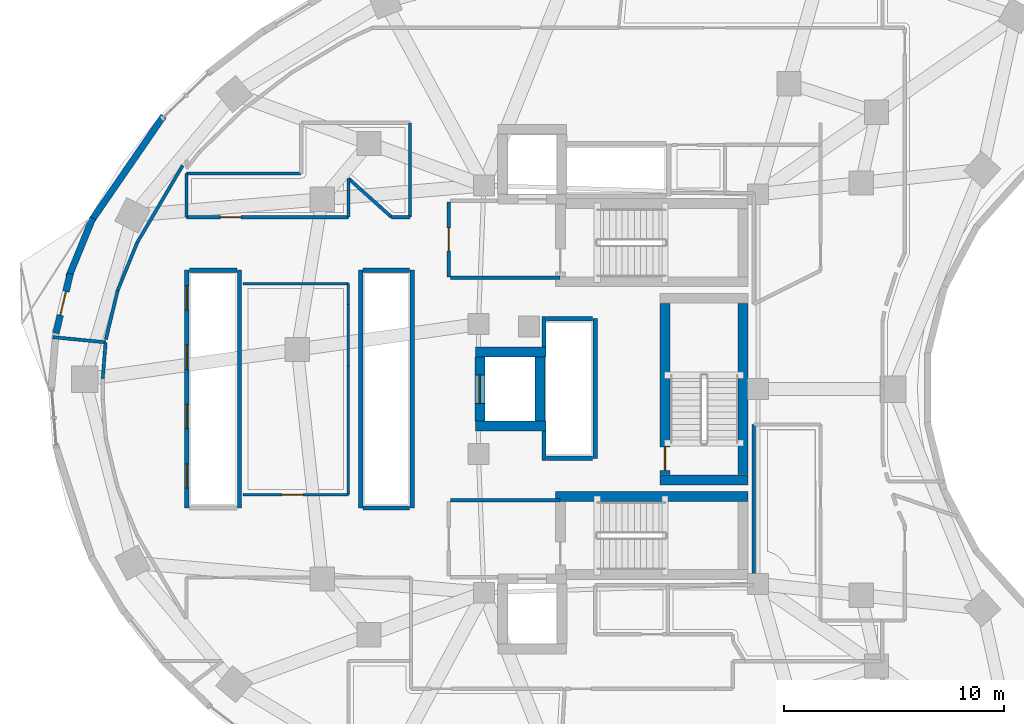
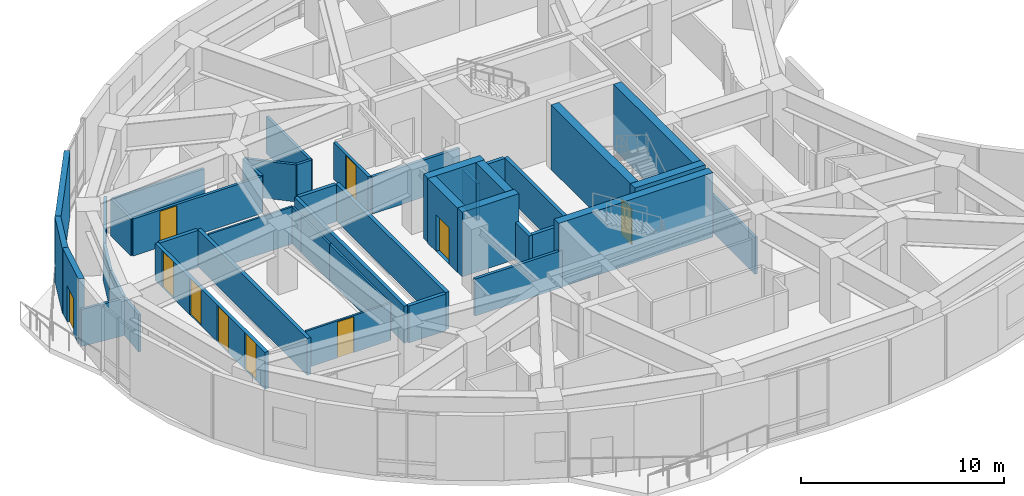
# One storey, part 7 of 13: 44 walls, 10 doors, 10 openings.
"""IFC4 building model written with IfcOpenShell, lengths in metres."""

import ifcopenshell
import ifcopenshell.guid

model = None  # the IFC model being written
_history = None  # IfcOwnerHistory: only IFC2X3 demands one
_inside = {}  # id of a spatial element -> (the spatial element, [elements in it])
_under = {}  # id of a project, library or spatial element -> (it, [spatial elements below it])
_declared = {}  # id of a project -> (the project, [libraries it declares])
_typed = {}  # id of a type object -> (the type object, [elements of that type])
_made_of = {}  # id of a material, layer set ... -> (it, [elements and type objects made of it])


def new_model(schema):
    """Start an empty IFC model of exactly this schema.

    Asked for "IFC4X3", IfcOpenShell would pick the latest addendum, in which some entities
    have other attributes; the version numbers below select the first issue.
    IFC2X3 requires an IfcOwnerHistory on every rooted entity: one is made here for all.
    """
    global model, _history
    if schema == "IFC4X3":
        model = ifcopenshell.file(schema_version=(4, 3, 0, 0))
    else:
        model = ifcopenshell.file(schema=schema)
    _inside.clear()
    _under.clear()
    _declared.clear()
    _typed.clear()
    _made_of.clear()
    _history = None
    if model.schema == "IFC2X3":
        org = make("IfcOrganization", Name="unknown")
        user = make(
            "IfcPersonAndOrganization",
            ThePerson=make("IfcPerson", FamilyName="unknown"),
            TheOrganization=org,
        )
        app = make(
            "IfcApplication",
            ApplicationDeveloper=org,
            Version="unknown",
            ApplicationFullName="unknown",
            ApplicationIdentifier="unknown",
        )
        _history = make(
            "IfcOwnerHistory",
            OwningUser=user,
            OwningApplication=app,
            ChangeAction="ADDED",
            CreationDate=0,
        )
    return model


def make(cls, **values):
    """One entity of the class cls with the attributes given. An attribute that is None is left unset."""
    return model.create_entity(
        cls, **{name: value for name, value in values.items() if value is not None}
    )


def rooted(cls, **values):
    """An entity with a GlobalId (a new one), such as an element, a storey or a relation."""
    return make(cls, GlobalId=ifcopenshell.guid.new(), OwnerHistory=_history, **values)


def si_unit(unit_type, name, prefix=None):
    """IfcSIUnit, for example si_unit("LENGTHUNIT", "METRE", prefix="MILLI")."""
    return make("IfcSIUnit", UnitType=unit_type, Prefix=prefix, Name=name)


def assignment(units):
    """IfcUnitAssignment: the units of a project."""
    return None if units is None else make("IfcUnitAssignment", Units=units)


def point(xyz):
    """IfcCartesianPoint."""
    return None if xyz is None else make("IfcCartesianPoint", Coordinates=xyz)


def direction(xyz):
    """IfcDirection."""
    return None if xyz is None else make("IfcDirection", DirectionRatios=xyz)


def frame(location, z_axis=None, x_axis=None):
    """IfcAxis2Placement3D, a coordinate frame: its origin and axes. An axis left out is left unset."""
    return make(
        "IfcAxis2Placement3D",
        Location=point(location),
        Axis=direction(z_axis),
        RefDirection=direction(x_axis),
    )


def frame_2d(location, x_axis=None):
    """IfcAxis2Placement2D, a coordinate frame in the plane: its origin and x axis."""
    return make(
        "IfcAxis2Placement2D", Location=point(location), RefDirection=direction(x_axis)
    )


def origin():
    """The frame at (0, 0, 0) with its axes left unset."""
    return frame((0.0, 0.0, 0.0))


def place(relative_to, where):
    """IfcLocalPlacement: puts the frame where relative to a parent placement (None: the world)."""
    return make(
        "IfcLocalPlacement", PlacementRelTo=relative_to, RelativePlacement=where
    )


def context(
    kind, dimensions, precision=None, world=None, true_north=None, identifier=None
):
    """IfcGeometricRepresentationContext, for example the 3D "Model" context."""
    return make(
        "IfcGeometricRepresentationContext",
        ContextIdentifier=identifier,
        ContextType=kind,
        CoordinateSpaceDimension=dimensions,
        Precision=precision,
        WorldCoordinateSystem=world,
        TrueNorth=true_north,
    )


def subcontext(parent, identifier, kind, view, scale=None):
    """IfcGeometricRepresentationSubContext, for example "Body" below "Model"."""
    return make(
        "IfcGeometricRepresentationSubContext",
        ContextIdentifier=identifier,
        ContextType=kind,
        ParentContext=parent,
        TargetScale=scale,
        TargetView=view,
    )


def project(units=None, contexts=None):
    """IfcProject with its units and contexts."""
    return rooted(
        "IfcProject",
        Name="project",
        RepresentationContexts=contexts,
        UnitsInContext=assignment(units),
    )


def spatial(cls, under=None, at=None, **own):
    """A site, building, storey or space (cls), placed at a placement, below another one or the project."""
    s = rooted(cls, ObjectPlacement=at, **own)
    if under is not None:
        _under.setdefault(under.id(), (under, []))[1].append(s)
    return s


def profile(cls, at=None, kind="AREA", **sizes):
    """A parametric profile (cls). Its sizes go by their IFC names, for example OverallWidth=200.0."""
    return make(cls, ProfileType=kind, Position=at, **sizes)


def rectangle(**sizes):
    """IfcRectangleProfileDef."""
    return profile("IfcRectangleProfileDef", **sizes)


def extrude(swept, where, along, depth):
    """IfcExtrudedAreaSolid: the profile swept, set in the frame where, extruded along a direction by depth."""
    return make(
        "IfcExtrudedAreaSolid",
        SweptArea=swept,
        Position=where,
        ExtrudedDirection=direction(along),
        Depth=depth,
    )


def shape(context_of_items, identifier, shape_type, items):
    """IfcShapeRepresentation: the items that make up one representation, for example the "Body"."""
    return make(
        "IfcShapeRepresentation",
        ContextOfItems=context_of_items,
        RepresentationIdentifier=identifier,
        RepresentationType=shape_type,
        Items=items,
    )


def material(Name=None, Category=None):
    """IfcMaterial."""
    return make("IfcMaterial", Name=Name, Category=Category)


def layer(
    of_material, thickness, ventilated=None, Name=None, Category=None, Priority=None
):
    """IfcMaterialLayer: one layer of a wall or slab, of a material (None: an air gap)."""
    return make(
        "IfcMaterialLayer",
        Material=of_material,
        LayerThickness=thickness,
        IsVentilated=ventilated,
        Name=Name,
        Category=Category,
        Priority=Priority,
    )


def layer_set(layers, Name=None):
    """IfcMaterialLayerSet."""
    return make("IfcMaterialLayerSet", MaterialLayers=layers, LayerSetName=Name)


def made_of(thing, what):
    """Note that an element or type object is made of a material, layer set ...; save() writes the relation."""
    if what is not None:
        _made_of.setdefault(what.id(), (what, []))[1].append(thing)
    return thing


def type_object(cls, material=None, **own):
    """A type object (cls), such as IfcWallType, which elements share."""
    return made_of(rooted(cls, **own), material)


def element(
    cls,
    number,
    at=None,
    inside=None,
    cuts=None,
    type_object=None,
    material=None,
    context=None,
    identifier="Body",
    shape_type=None,
    held_by="IfcProductDefinitionShape",
    body=None,
    shapes=None,
    **own,
):
    """One element of the class cls, such as IfcWall. Its Tag is "e" and its number.

    at: its placement. inside: the storey or other place that contains it. cuts: it is an
    opening in that element (IfcRelVoidsElement). A single representation is given by context,
    identifier, shape_type and body (its items); several are given by shapes. held_by: the class
    of the entity that holds the representations. save() writes the other relations.
    """
    e = rooted(cls, Tag="e%d" % number, ObjectPlacement=at, **own)
    if body is not None:
        shapes = [shape(context, identifier, shape_type, body)]
    if shapes is not None:
        e.Representation = make(held_by, Representations=shapes)
    if inside is not None:
        _inside.setdefault(inside.id(), (inside, []))[1].append(e)
    if cuts is not None:
        rooted(
            "IfcRelVoidsElement", RelatingBuildingElement=cuts, RelatedOpeningElement=e
        )
    if type_object is not None:
        _typed.setdefault(type_object.id(), (type_object, []))[1].append(e)
    return made_of(e, material)


def fill(opening, filler):
    """IfcRelFillsElement: the door or window that sits in an opening."""
    return rooted(
        "IfcRelFillsElement",
        RelatingOpeningElement=opening,
        RelatedBuildingElement=filler,
    )


def aggregate(whole, parts):
    """IfcRelAggregates: a whole, such as a stair, and the parts it consists of."""
    return rooted("IfcRelAggregates", RelatingObject=whole, RelatedObjects=parts)


def save(model, path):
    """Write the relations noted so far, then the file.

    IfcRelAggregates (storeys below a building ...), IfcRelContainedInSpatialStructure (elements
    in a storey), IfcRelDefinesByType, IfcRelAssociatesMaterial and IfcRelDeclares: one each for
    every whole, place, type object, material and project.
    """
    for whole, parts in _under.values():
        aggregate(whole, parts)
    for where, things in _inside.values():
        rooted(
            "IfcRelContainedInSpatialStructure",
            RelatedElements=things,
            RelatingStructure=where,
        )
    for kind, things in _typed.values():
        rooted("IfcRelDefinesByType", RelatedObjects=things, RelatingType=kind)
    for what, things in _made_of.values():
        rooted("IfcRelAssociatesMaterial", RelatedObjects=things, RelatingMaterial=what)
    for by, libraries in _declared.values():
        rooted("IfcRelDeclares", RelatingContext=by, RelatedDefinitions=libraries)
    model.write(path)


model = new_model("IFC4")

# Units and contexts
model_context = context("Model", 3, precision=1e-05, world=origin(), true_north=direction((0.0, 1.0)))
body_context = subcontext(model_context, "Body", "Model", "MODEL_VIEW")
ifc_project = project(units=[si_unit("LENGTHUNIT", "METRE"), si_unit("AREAUNIT", "SQUARE_METRE"), si_unit("VOLUMEUNIT", "CUBIC_METRE"), si_unit("PLANEANGLEUNIT", "RADIAN"), si_unit("MASSUNIT", "GRAM", prefix="KILO")], contexts=[model_context])

# Site, building, storey
site_placement = place(None, origin())
site = spatial("IfcSite", under=ifc_project, at=site_placement, CompositionType="ELEMENT")
building_placement = place(site_placement, origin())
building = spatial("IfcBuilding", under=site, at=building_placement, Name="Korentha Bioscience Tower", CompositionType="ELEMENT")
storey_placement = place(building_placement, frame((0.0, 0.0, 144.60009765625)))
storey = spatial("IfcBuildingStorey", under=building, at=storey_placement, Name="L33", CompositionType="ELEMENT", Elevation=144.60009765625)

# Wall, opening, door
ifc_material_1 = material(Name="Double-Stud Acoustic Gypsum", Category="gypsum")
ifc_layer_1 = layer(ifc_material_1, 0.14990234375, Name="Double-Stud Acoustic Gypsum")
ifc_layer_set_1 = layer_set([ifc_layer_1], Name="Double-Stud Acoustic Gypsum (IW-L150)")
wall_type_1 = type_object("IfcWallType", Name="Acoustic Laboratory Partition Wall 150", PredefinedType="PARTITIONING", material=ifc_layer_set_1)
wall_1_placement = place(storey_placement, frame((18.947998046875, 34.81005859375, 0.0), z_axis=(0.0, 0.0, 1.0), x_axis=(-1.0, 0.0, 0.0)))
wall_1 = element("IfcWall", 1, at=wall_1_placement, inside=storey, type_object=wall_type_1, Name="L33 Floor Concierge Reception 11 Entrance Wall", PredefinedType="PARTITIONING", context=body_context, shape_type="SweptSolid", body=[
    extrude(rectangle(XDim=7.35791015625, YDim=0.14990234375, at=frame_2d((3.678955078125, 0.0))), origin(), (0.0, 0.0, 1.0), 2.219970703125),
])
opening_1_placement = place(wall_1_placement, frame((4.869384765625, 0.0, 0.0)))
opening_1 = element("IfcOpeningElement", 2, at=opening_1_placement, cuts=wall_1, Name="Opening ID-10R", PredefinedType="OPENING", context=body_context, shape_type="SweptSolid", body=[
    extrude(rectangle(XDim=0.949951171875, YDim=2.14990234375, at=frame_2d((0.47509765625, 1.074951171875))), frame((0.0, 0.08984375, 0.0), z_axis=(0.0, -1.0, 0.0), x_axis=(1.0, 0.0, 0.0)), (0.0, 0.0, 1.0), 0.1796875),
])
ifc_material_2 = material(Name="Phenolic Laminate Timber Core", Category="wood")
door_type_1 = type_object("IfcDoorType", Name="Laboratory Single Leaf Door 950x2150 Right", OperationType="SINGLE_SWING_RIGHT", PredefinedType="DOOR", material=ifc_material_2)
door_1_placement = place(opening_1_placement, origin())
door_1 = element("IfcDoor", 3, at=door_1_placement, inside=storey, type_object=door_type_1, Name="L33 Floor Concierge Reception 11 Door", OperationType="SINGLE_SWING_RIGHT", OverallHeight=2.14990234375, OverallWidth=0.949951171875, PredefinedType="DOOR", context=body_context, shape_type="SweptSolid", body=[
    extrude(rectangle(XDim=0.949951171875, YDim=2.14990234375, at=frame_2d((0.47509765625, 1.074951171875))), frame((0.0, 0.02490234375, 0.0), z_axis=(0.0, -1.0, 0.0), x_axis=(1.0, 0.0, 0.0)), (0.0, 0.0, 1.0), 0.050048828125),
])
fill(opening_1, door_1)

# Walls
wall_2_placement = place(storey_placement, frame((5.521484375, 29.359619140625, 0.0), z_axis=(0.0, 0.0, 1.0), x_axis=(0.99523083929, -0.097547816614, 0.0)))
element("IfcWall", 4, at=wall_2_placement, inside=storey, type_object=wall_type_1, Name="L33 Interior Partition 023", PredefinedType="PARTITIONING", context=body_context, shape_type="SweptSolid", body=[
    extrude(rectangle(XDim=2.41015625, YDim=0.14990234375, at=frame_2d((1.205078125, 0.0))), origin(), (0.0, 0.0, 1.0), 2.219970703125),
])
wall_3_placement = place(storey_placement, frame((7.920166015625, 29.12451171875, 0.0), z_axis=(0.0, 0.0, 1.0), x_axis=(-0.079067162534, -0.996869291236, 0.0)))
element("IfcWall", 5, at=wall_3_placement, inside=storey, type_object=wall_type_1, Name="L33 Interior Partition 024", PredefinedType="PARTITIONING", context=body_context, shape_type="SweptSolid", body=[
    extrude(rectangle(XDim=1.645751953125, YDim=0.14990234375, at=frame_2d((0.82275390625, 0.0))), origin(), (0.0, 0.0, 1.0), 2.219970703125),
])
wall_4_placement = place(storey_placement, frame((37.360107421875, 18.10009765625, 0.0), z_axis=(0.0, 0.0, 1.0), x_axis=(0.0, 1.0, 0.0)))
element("IfcWall", 6, at=wall_4_placement, inside=storey, type_object=wall_type_1, Name="L33 Interior Partition 051", PredefinedType="PARTITIONING", context=body_context, shape_type="SweptSolid", body=[
    extrude(rectangle(XDim=7.289794921875, YDim=0.14990234375, at=frame_2d((3.64501953125, 0.0))), origin(), (0.0, 0.0, 1.0), 2.219970703125),
])
wall_5_placement = place(storey_placement, frame((11.418701171875, 37.154296875, 0.0), z_axis=(0.0, 0.0, 1.0), x_axis=(-0.508183269016, -0.861248956511, 0.0)))
element("IfcWall", 7, at=wall_5_placement, inside=storey, type_object=wall_type_1, Name="L33 Interior Partition 082", PredefinedType="PARTITIONING", context=body_context, shape_type="SweptSolid", body=[
    extrude(rectangle(XDim=4.052734375, YDim=0.14990234375, at=frame_2d((2.0263671875, 0.0))), origin(), (0.0, 0.0, 1.0), 2.219970703125),
])
wall_6_placement = place(storey_placement, frame((9.3583984375, 33.66259765625, 0.0), z_axis=(0.0, 0.0, 1.0), x_axis=(-0.378306283753, -0.925680482495, 0.0)))
element("IfcWall", 8, at=wall_6_placement, inside=storey, type_object=wall_type_1, Name="L33 Interior Partition 083", PredefinedType="PARTITIONING", context=body_context, shape_type="SweptSolid", body=[
    extrude(rectangle(XDim=2.358154296875, YDim=0.14990234375, at=frame_2d((1.17919921875, 0.0))), origin(), (0.0, 0.0, 1.0), 2.219970703125),
])
wall_7_placement = place(storey_placement, frame((8.4658203125, 31.478515625, 0.0), z_axis=(0.0, 0.0, 1.0), x_axis=(-0.233675196412, -0.972314713754, 0.0)))
element("IfcWall", 9, at=wall_7_placement, inside=storey, type_object=wall_type_1, Name="L33 Interior Partition 084", PredefinedType="PARTITIONING", context=body_context, shape_type="SweptSolid", body=[
    extrude(rectangle(XDim=2.291259765625, YDim=0.14990234375, at=frame_2d((1.1455078125, 0.0))), origin(), (0.0, 0.0, 1.0), 2.219970703125),
])
wall_8_placement = place(storey_placement, frame((18.947998046875, 36.55810546875, 0.0), z_axis=(0.0, 0.0, 1.0), x_axis=(0.0, -1.0, 0.0)))
element("IfcWall", 10, at=wall_8_placement, inside=storey, type_object=wall_type_1, Name="L33 Interior Partition 085", PredefinedType="PARTITIONING", context=body_context, shape_type="SweptSolid", body=[
    extrude(rectangle(XDim=1.748046875, YDim=0.14990234375, at=frame_2d((0.8740234375, 0.0))), origin(), (0.0, 0.0, 1.0), 2.219970703125),
])
wall_9_placement = place(storey_placement, frame((11.590087890625, 34.81005859375, 0.0), z_axis=(0.0, 0.0, 1.0), x_axis=(0.0, 1.0, 0.0)))
element("IfcWall", 11, at=wall_9_placement, inside=storey, type_object=wall_type_1, Name="L33 Interior Partition 086", PredefinedType="PARTITIONING", context=body_context, shape_type="SweptSolid", body=[
    extrude(rectangle(XDim=1.97998046875, YDim=0.14990234375, at=frame_2d((0.989990234375, 0.0))), origin(), (0.0, 0.0, 1.0), 2.219970703125),
])
wall_10_placement = place(storey_placement, frame((11.590087890625, 36.7900390625, 0.0), z_axis=(0.0, 0.0, 1.0), x_axis=(1.0, 0.0, 0.0)))
element("IfcWall", 12, at=wall_10_placement, inside=storey, type_object=wall_type_1, Name="L33 Interior Partition 087", PredefinedType="PARTITIONING", context=body_context, shape_type="SweptSolid", body=[
    extrude(rectangle(XDim=5.2099609375, YDim=0.14990234375, at=frame_2d((2.60498046875, 0.0))), origin(), (0.0, 0.0, 1.0), 2.219970703125),
])
wall_11_placement = place(storey_placement, frame((21.739990234375, 39.090087890625, 0.0), z_axis=(0.0, 0.0, 1.0), x_axis=(0.0, -1.0, 0.0)))
element("IfcWall", 13, at=wall_11_placement, inside=storey, type_object=wall_type_1, Name="L33 Interior Partition 090", PredefinedType="PARTITIONING", context=body_context, shape_type="SweptSolid", body=[
    extrude(rectangle(XDim=4.280029296875, YDim=0.14990234375, at=frame_2d((2.14013671875, 0.0))), origin(), (0.0, 0.0, 1.0), 2.219970703125),
])
wall_12_placement = place(storey_placement, frame((21.739990234375, 34.81005859375, 0.0), z_axis=(0.0, 0.0, 1.0), x_axis=(-1.0, 0.0, 0.0)))
element("IfcWall", 14, at=wall_12_placement, inside=storey, type_object=wall_type_1, Name="L33 Interior Partition 091", PredefinedType="PARTITIONING", context=body_context, shape_type="SweptSolid", body=[
    extrude(rectangle(XDim=0.833740234375, YDim=0.14990234375, at=frame_2d((0.4169921875, 0.0))), origin(), (0.0, 0.0, 1.0), 2.219970703125),
])
wall_13_placement = place(storey_placement, frame((20.90625, 34.81005859375, 0.0), z_axis=(0.0, 0.0, 1.0), x_axis=(-0.744339592711, 0.667801295838, 0.0)))
element("IfcWall", 15, at=wall_13_placement, inside=storey, type_object=wall_type_1, Name="L33 Interior Partition 092", PredefinedType="PARTITIONING", context=body_context, shape_type="SweptSolid", body=[
    extrude(rectangle(XDim=2.6220703125, YDim=0.14990234375, at=frame_2d((1.31103515625, 0.0))), origin(), (0.0, 0.0, 1.0), 2.219970703125),
])

# Wall, opening, door
ifc_material_3 = material(Name="Fire-Rated Framed Glass", Category="glass")
ifc_layer_2 = layer(ifc_material_3, 0.110107421875, Name="Fire-Rated Framed Glass")
ifc_layer_set_2 = layer_set([ifc_layer_2], Name="Fire-Rated Framed Glass (IW-G110)")
wall_type_2 = type_object("IfcWallType", Name="Demountable Glazed Office Partition 110", PredefinedType="MOVABLE", material=ifc_layer_set_2)
wall_14_placement = place(storey_placement, frame((18.947998046875, 22.2099609375, 0.0), z_axis=(0.0, 0.0, 1.0), x_axis=(-1.0, 0.0, 0.0)))
wall_14 = element("IfcWall", 16, at=wall_14_placement, inside=storey, type_object=wall_type_2, Name="L33 Principal Investigator Office 01 Entrance Wall", PredefinedType="MOVABLE", context=body_context, shape_type="SweptSolid", body=[
    extrude(rectangle(XDim=4.7880859375, YDim=0.110107421875, at=frame_2d((2.39404296875, 0.0))), origin(), (0.0, 0.0, 1.0), 2.219970703125),
])
opening_2_placement = place(wall_14_placement, frame((2.073486328125, 0.0, 0.0)))
opening_2 = element("IfcOpeningElement", 17, at=opening_2_placement, cuts=wall_14, Name="Opening ID-10R", PredefinedType="OPENING", context=body_context, shape_type="SweptSolid", body=[
    extrude(rectangle(XDim=0.949951171875, YDim=2.14990234375, at=frame_2d((0.47509765625, 1.074951171875))), frame((0.0, 0.06982421875, 0.0), z_axis=(0.0, -1.0, 0.0), x_axis=(1.0, 0.0, 0.0)), (0.0, 0.0, 1.0), 0.139892578125),
])
door_2_placement = place(opening_2_placement, origin())
door_2 = element("IfcDoor", 18, at=door_2_placement, inside=storey, type_object=door_type_1, Name="L33 Principal Investigator Office 01 Door", OperationType="SINGLE_SWING_RIGHT", OverallHeight=2.14990234375, OverallWidth=0.949951171875, PredefinedType="DOOR", context=body_context, shape_type="SweptSolid", body=[
    extrude(rectangle(XDim=0.949951171875, YDim=2.14990234375, at=frame_2d((0.47509765625, 1.074951171875))), frame((0.0, 0.02490234375, 0.0), z_axis=(0.0, -1.0, 0.0), x_axis=(1.0, 0.0, 0.0)), (0.0, 0.0, 1.0), 0.050048828125),
])
fill(opening_2, door_2)

# Walls
wall_15_placement = place(storey_placement, frame((14.159912109375, 31.7900390625, 0.0), z_axis=(0.0, 0.0, 1.0), x_axis=(1.0, 0.0, 0.0)))
element("IfcWall", 19, at=wall_15_placement, inside=storey, type_object=wall_type_2, Name="L33 Interior Partition 019", PredefinedType="MOVABLE", context=body_context, shape_type="SweptSolid", body=[
    extrude(rectangle(XDim=4.7880859375, YDim=0.110107421875, at=frame_2d((2.39404296875, 0.0))), origin(), (0.0, 0.0, 1.0), 2.219970703125),
])
wall_16_placement = place(storey_placement, frame((18.947998046875, 31.7900390625, 0.0), z_axis=(0.0, 0.0, 1.0), x_axis=(0.0, -1.0, 0.0)))
element("IfcWall", 20, at=wall_16_placement, inside=storey, type_object=wall_type_2, Name="L33 Interior Partition 020", PredefinedType="MOVABLE", context=body_context, shape_type="SweptSolid", body=[
    extrude(rectangle(XDim=0.93798828125, YDim=0.110107421875, at=frame_2d((0.468994140625, 0.0))), origin(), (0.0, 0.0, 1.0), 2.219970703125),
])
wall_17_placement = place(storey_placement, frame((18.947998046875, 30.847900390625, 0.0), z_axis=(0.0, 0.0, 1.0), x_axis=(0.0, -1.0, 0.0)))
element("IfcWall", 21, at=wall_17_placement, inside=storey, type_object=wall_type_2, Name="L33 Interior Partition 021", PredefinedType="MOVABLE", context=body_context, shape_type="SweptSolid", body=[
    extrude(rectangle(XDim=2.800537109375, YDim=0.110107421875, at=frame_2d((1.400390625, 0.0))), origin(), (0.0, 0.0, 1.0), 2.219970703125),
])
wall_18_placement = place(storey_placement, frame((18.947998046875, 28.043212890625, 0.0), z_axis=(0.0, 0.0, 1.0), x_axis=(0.0, -1.0, 0.0)))
element("IfcWall", 22, at=wall_18_placement, inside=storey, type_object=wall_type_2, Name="L33 Interior Partition 022", PredefinedType="MOVABLE", context=body_context, shape_type="SweptSolid", body=[
    extrude(rectangle(XDim=5.833251953125, YDim=0.110107421875, at=frame_2d((2.91650390625, 0.0))), origin(), (0.0, 0.0, 1.0), 2.219970703125),
])

# Wall, opening, door
ifc_material_4 = material(Name="Gypsum-Clad Steel Stud", Category="steel")
ifc_layer_3 = layer(ifc_material_4, 0.159912109375, Name="Gypsum-Clad Steel Stud")
ifc_layer_set_3 = layer_set([ifc_layer_3], Name="Gypsum-Clad Steel Stud (IW-C160)")
wall_type_3 = type_object("IfcWallType", Name="Fire-Rated Corridor Partition Wall 160", PredefinedType="PARTITIONING", material=ifc_layer_set_3)
wall_19_placement = place(storey_placement, frame((23.5, 32.10009765625, 0.0), z_axis=(0.0, 0.0, 1.0), x_axis=(0.0, 1.0, 0.0)))
wall_19 = element("IfcWall", 23, at=wall_19_placement, inside=storey, type_object=wall_type_3, Name="L33 FFLN-CW Rated Enclosure Wall", PredefinedType="PARTITIONING", context=body_context, shape_type="SweptSolid", body=[
    extrude(rectangle(XDim=3.39990234375, YDim=0.159912109375, at=frame_2d((1.699951171875, 0.0))), origin(), (0.0, 0.0, 1.0), 2.219970703125),
])
opening_3_placement = place(wall_19_placement, frame((1.175048828125, 0.0, 0.0)))
opening_3 = element("IfcOpeningElement", 24, at=opening_3_placement, cuts=wall_19, Name="Opening FD-90R", PredefinedType="OPENING", context=body_context, shape_type="SweptSolid", body=[
    extrude(rectangle(XDim=1.050048828125, YDim=2.14990234375, at=frame_2d((0.52490234375, 1.074951171875))), frame((0.0, 0.0947265625, 0.0), z_axis=(0.0, -1.0, 0.0), x_axis=(1.0, 0.0, 0.0)), (0.0, 0.0, 1.0), 0.189697265625),
])
ifc_material_5 = material(Name="Powder-Coated Fire-Rated Steel", Category="steel")
door_type_2 = type_object("IfcDoorType", Name="Stairwell Fire Exit Door 1050x2150 Right", OperationType="SINGLE_SWING_RIGHT", PredefinedType="DOOR", material=ifc_material_5)
door_3_placement = place(opening_3_placement, origin())
door_3 = element("IfcDoor", 25, at=door_3_placement, inside=storey, type_object=door_type_2, Name="L33 North Firefighting Lobby Door", OperationType="SINGLE_SWING_RIGHT", OverallHeight=2.14990234375, OverallWidth=1.050048828125, PredefinedType="DOOR", context=body_context, shape_type="SweptSolid", body=[
    extrude(rectangle(XDim=1.050048828125, YDim=2.14990234375, at=frame_2d((0.52490234375, 1.074951171875))), frame((0.0, 0.02490234375, 0.0), z_axis=(0.0, -1.0, 0.0), x_axis=(1.0, 0.0, 0.0)), (0.0, 0.0, 1.0), 0.050048828125),
])
fill(opening_3, door_3)

# Walls
for number, where, z_axis, x_axis, name in (
    (26, (23.580078125, 32.050048828125, 0.0), (0.0, 0.0, 1.0), (1.0, 0.0, 0.0), "L33 Firefighting Lobby Return Wall FFLN-S"),
    (27, (23.580078125, 21.949951171875, 0.0), (0.0, 0.0, 1.0), (1.0, 0.0, 0.0), "L33 Firefighting Lobby Return Wall FFLS-N"),
):
    element("IfcWall", number, at=place(storey_placement, frame(where, z_axis=z_axis, x_axis=x_axis)), inside=storey, type_object=wall_type_3, Name=name, PredefinedType="PARTITIONING", context=body_context, shape_type="SweptSolid", body=[
        extrude(rectangle(XDim=4.969970703125, YDim=0.159912109375, at=frame_2d((2.48486328125, 0.0))), origin(), (0.0, 0.0, 1.0), 2.219970703125),
    ])

# Wall, opening, door
ifc_material_6 = material(Name="Honed Limestone Precast Concrete C40", Category="masonry")
ifc_layer_4 = layer(ifc_material_6, 0.300048828125, Name="Honed Limestone Precast Concrete C40")
ifc_layer_set_4 = layer_set([ifc_layer_4], Name="Honed Limestone Precast Concrete C40 (EW-ST300)")
wall_type_4 = type_object("IfcWallType", Name="Honed Limestone Cavity Spandrel Wall 300", PredefinedType="STANDARD", material=ifc_layer_set_4)
wall_20_placement = place(storey_placement, frame((6.316162109375, 32.248046875, 0.0), z_axis=(0.0, 0.0, 1.0), x_axis=(-0.233687533313, -0.972311748759, 0.0)))
wall_20 = element("IfcWall", 28, at=wall_20_placement, inside=storey, type_object=wall_type_4, Name="L33 Balcony Threshold Wall 02", PredefinedType="STANDARD", context=body_context, shape_type="SweptSolid", body=[
    extrude(rectangle(XDim=2.788330078125, YDim=0.300048828125, at=frame_2d((1.39404296875, 0.0))), origin(), (0.0, 0.0, 1.0), 3.8798828125),
])
opening_4_placement = place(wall_20_placement, frame((0.84423828125, 0.0, 0.0)))
opening_4 = element("IfcOpeningElement", 29, at=opening_4_placement, cuts=wall_20, Name="Opening BD-11R", PredefinedType="OPENING", context=body_context, shape_type="SweptSolid", body=[
    extrude(rectangle(XDim=1.10009765625, YDim=2.14990234375, at=frame_2d((0.550048828125, 1.074951171875))), frame((0.0, 0.1650390625, 0.0), z_axis=(0.0, -1.0, 0.0), x_axis=(1.0, 0.0, 0.0)), (0.0, 0.0, 1.0), 0.329833984375),
])
ifc_material_7 = material(Name="Thermally Broken Glazed Aluminium", Category="aluminium")
door_type_3 = type_object("IfcDoorType", Name="Balcony Terrace Glazed Door 1100x2150 Right", OperationType="SINGLE_SWING_RIGHT", PredefinedType="DOOR", material=ifc_material_7)
door_4_placement = place(opening_4_placement, origin())
door_4 = element("IfcDoor", 30, at=door_4_placement, inside=storey, type_object=door_type_3, Name="L33 Balcony Access Door 02", OperationType="SINGLE_SWING_RIGHT", OverallHeight=2.14990234375, OverallWidth=1.10009765625, PredefinedType="DOOR", context=body_context, shape_type="SweptSolid", body=[
    extrude(rectangle(XDim=1.10009765625, YDim=2.14990234375, at=frame_2d((0.550048828125, 1.074951171875))), frame((0.0, 0.02490234375, 0.0), z_axis=(0.0, -1.0, 0.0), x_axis=(1.0, 0.0, 0.0)), (0.0, 0.0, 1.0), 0.050048828125),
])
fill(opening_4, door_4)

# Walls
wall_21_placement = place(storey_placement, frame((10.54833984375, 39.400390625, 0.0), z_axis=(0.0, 0.0, 1.0), x_axis=(-0.566825798999, -0.823837674296, 0.0)))
element("IfcWall", 31, at=wall_21_placement, inside=storey, type_object=wall_type_4, Name="L33 Limestone Perimeter Closure Wall 14", PredefinedType="STANDARD", context=body_context, shape_type="SweptSolid", body=[
    extrude(rectangle(XDim=5.825927734375, YDim=0.300048828125, at=frame_2d((2.9130859375, 0.0))), origin(), (0.0, 0.0, 1.0), 3.8798828125),
])
wall_22_placement = place(storey_placement, frame((7.336181640625, 34.76708984375, 0.0), z_axis=(0.0, 0.0, 1.0), x_axis=(-0.378421675944, -0.925633315722, 0.0)))
element("IfcWall", 32, at=wall_22_placement, inside=storey, type_object=wall_type_4, Name="L33 Limestone Perimeter Closure Wall 16", PredefinedType="STANDARD", context=body_context, shape_type="SweptSolid", body=[
    extrude(rectangle(XDim=2.88134765625, YDim=0.300048828125, at=frame_2d((1.440673828125, 0.0))), origin(), (0.0, 0.0, 1.0), 3.8798828125),
])

# Wall, openings, doors
ifc_material_8 = material(Name="Autoclaved Aerated Concrete Block C25", Category="concrete")
ifc_layer_5 = layer(ifc_material_8, 0.199951171875, Name="Autoclaved Aerated Concrete Block C25")
ifc_layer_set_5 = layer_set([ifc_layer_5], Name="Autoclaved Aerated Concrete Block C25 (IW-S200)")
wall_type_5 = type_object("IfcWallType", Name="Lift and Riser Shaft Enclosure Wall 200", PredefinedType="PARTITIONING", material=ifc_layer_set_5)
wall_23_placement = place(storey_placement, frame((11.60009765625, 21.60009765625, 0.0), z_axis=(0.0, 0.0, 1.0), x_axis=(0.0, 1.0, 0.0)))
wall_23 = element("IfcWall", 33, at=wall_23_placement, inside=storey, type_object=wall_type_5, Name="L33 Lift Bank LOW Shaft Wall -X", PredefinedType="PARTITIONING", context=body_context, shape_type="SweptSolid", body=[
    extrude(rectangle(XDim=10.7998046875, YDim=0.199951171875, at=frame_2d((5.39990234375, 0.0))), origin(), (0.0, 0.0, 1.0), 2.219970703125),
])
opening_5_placement = place(wall_23_placement, frame((0.89990234375, 0.0, 0.0)))
opening_5 = element("IfcOpeningElement", 34, at=opening_5_placement, cuts=wall_23, Name="Opening LD-11", PredefinedType="OPENING", context=body_context, shape_type="SweptSolid", body=[
    extrude(rectangle(XDim=1.10009765625, YDim=2.199951171875, at=frame_2d((0.550048828125, 1.10009765625))), frame((0.0, 0.11474609375, 0.0), z_axis=(0.0, -1.0, 0.0), x_axis=(1.0, 0.0, 0.0)), (0.0, 0.0, 1.0), 0.229736328125),
])
opening_6_placement = place(wall_23_placement, frame((3.60009765625, 0.0, 0.0)))
opening_6 = element("IfcOpeningElement", 35, at=opening_6_placement, cuts=wall_23, Name="Opening LD-11", PredefinedType="OPENING", context=body_context, shape_type="SweptSolid", body=[
    extrude(rectangle(XDim=1.10009765625, YDim=2.199951171875, at=frame_2d((0.550048828125, 1.10009765625))), frame((0.0, 0.11474609375, 0.0), z_axis=(0.0, -1.0, 0.0), x_axis=(1.0, 0.0, 0.0)), (0.0, 0.0, 1.0), 0.229736328125),
])
opening_7_placement = place(wall_23_placement, frame((6.300048828125, 0.0, 0.0)))
opening_7 = element("IfcOpeningElement", 36, at=opening_7_placement, cuts=wall_23, Name="Opening LD-11", PredefinedType="OPENING", context=body_context, shape_type="SweptSolid", body=[
    extrude(rectangle(XDim=1.10009765625, YDim=2.199951171875, at=frame_2d((0.550048828125, 1.10009765625))), frame((0.0, 0.11474609375, 0.0), z_axis=(0.0, -1.0, 0.0), x_axis=(1.0, 0.0, 0.0)), (0.0, 0.0, 1.0), 0.229736328125),
])
opening_8_placement = place(wall_23_placement, frame((9.0, 0.0, 0.0)))
opening_8 = element("IfcOpeningElement", 37, at=opening_8_placement, cuts=wall_23, Name="Opening LD-11", PredefinedType="OPENING", context=body_context, shape_type="SweptSolid", body=[
    extrude(rectangle(XDim=1.10009765625, YDim=2.199951171875, at=frame_2d((0.550048828125, 1.10009765625))), frame((0.0, 0.11474609375, 0.0), z_axis=(0.0, -1.0, 0.0), x_axis=(1.0, 0.0, 0.0)), (0.0, 0.0, 1.0), 0.229736328125),
])
ifc_material_9 = material(Name="Brushed Stainless Steel 304", Category="steel")
door_type_4 = type_object("IfcDoorType", Name="Passenger Lift Sliding Landing Door 1100x2200", OperationType="DOUBLE_DOOR_SLIDING", PredefinedType="DOOR", material=ifc_material_9)
door_5_placement = place(opening_5_placement, origin())
door_5 = element("IfcDoor", 38, at=door_5_placement, inside=storey, type_object=door_type_4, Name="L33 PL-L1 Sliding Lift Landing Door", OperationType="DOUBLE_DOOR_SLIDING", OverallHeight=2.199951171875, OverallWidth=1.10009765625, PredefinedType="DOOR", context=body_context, shape_type="SweptSolid", body=[
    extrude(rectangle(XDim=1.10009765625, YDim=2.199951171875, at=frame_2d((0.550048828125, 1.10009765625))), frame((0.0, 0.02490234375, 0.0), z_axis=(0.0, -1.0, 0.0), x_axis=(1.0, 0.0, 0.0)), (0.0, 0.0, 1.0), 0.050048828125),
])
fill(opening_5, door_5)
door_6_placement = place(opening_6_placement, origin())
door_6 = element("IfcDoor", 39, at=door_6_placement, inside=storey, type_object=door_type_4, Name="L33 PL-L2 Sliding Lift Landing Door", OperationType="DOUBLE_DOOR_SLIDING", OverallHeight=2.199951171875, OverallWidth=1.10009765625, PredefinedType="DOOR", context=body_context, shape_type="SweptSolid", body=[
    extrude(rectangle(XDim=1.10009765625, YDim=2.199951171875, at=frame_2d((0.550048828125, 1.10009765625))), frame((0.0, 0.02490234375, 0.0), z_axis=(0.0, -1.0, 0.0), x_axis=(1.0, 0.0, 0.0)), (0.0, 0.0, 1.0), 0.050048828125),
])
fill(opening_6, door_6)
door_7_placement = place(opening_7_placement, origin())
door_7 = element("IfcDoor", 40, at=door_7_placement, inside=storey, type_object=door_type_4, Name="L33 PL-L3 Sliding Lift Landing Door", OperationType="DOUBLE_DOOR_SLIDING", OverallHeight=2.199951171875, OverallWidth=1.10009765625, PredefinedType="DOOR", context=body_context, shape_type="SweptSolid", body=[
    extrude(rectangle(XDim=1.10009765625, YDim=2.199951171875, at=frame_2d((0.550048828125, 1.10009765625))), frame((0.0, 0.02490234375, 0.0), z_axis=(0.0, -1.0, 0.0), x_axis=(1.0, 0.0, 0.0)), (0.0, 0.0, 1.0), 0.050048828125),
])
fill(opening_7, door_7)
door_8_placement = place(opening_8_placement, origin())
door_8 = element("IfcDoor", 41, at=door_8_placement, inside=storey, type_object=door_type_4, Name="L33 PL-L4 Sliding Lift Landing Door", OperationType="DOUBLE_DOOR_SLIDING", OverallHeight=2.199951171875, OverallWidth=1.10009765625, PredefinedType="DOOR", context=body_context, shape_type="SweptSolid", body=[
    extrude(rectangle(XDim=1.10009765625, YDim=2.199951171875, at=frame_2d((0.550048828125, 1.10009765625))), frame((0.0, 0.02490234375, 0.0), z_axis=(0.0, -1.0, 0.0), x_axis=(1.0, 0.0, 0.0)), (0.0, 0.0, 1.0), 0.050048828125),
])
fill(opening_8, door_8)

# Walls
wall_24_placement = place(storey_placement, frame((14.0, 21.60009765625, 0.0), z_axis=(0.0, 0.0, 1.0), x_axis=(0.0, 1.0, 0.0)))
element("IfcWall", 42, at=wall_24_placement, inside=storey, type_object=wall_type_5, Name="L33 Lift Bank LOW Shaft Wall +X", PredefinedType="PARTITIONING", context=body_context, shape_type="SweptSolid", body=[
    extrude(rectangle(XDim=10.7998046875, YDim=0.199951171875, at=frame_2d((5.39990234375, 0.0))), origin(), (0.0, 0.0, 1.0), 2.219970703125),
])
wall_25_placement = place(storey_placement, frame((11.719970703125, 32.39990234375, 0.0), z_axis=(0.0, 0.0, 1.0), x_axis=(1.0, 0.0, 0.0)))
element("IfcWall", 43, at=wall_25_placement, inside=storey, type_object=wall_type_5, Name="L33 Lift Bank LOW Shaft Wall +Y", PredefinedType="PARTITIONING", context=body_context, shape_type="SweptSolid", body=[
    extrude(rectangle(XDim=2.159912109375, YDim=0.199951171875, at=frame_2d((1.080078125, 0.0))), origin(), (0.0, 0.0, 1.0), 2.219970703125),
])
for number, where, z_axis, x_axis, name in (
    (44, (19.5, 21.60009765625, 0.0), (0.0, 0.0, 1.0), (0.0, 1.0, 0.0), "L33 Lift Bank MID Shaft Wall -X"),
    (45, (21.85009765625, 21.60009765625, 0.0), (0.0, 0.0, 1.0), (0.0, 1.0, 0.0), "L33 Lift Bank MID Shaft Wall +X"),
):
    element("IfcWall", number, at=place(storey_placement, frame(where, z_axis=z_axis, x_axis=x_axis)), inside=storey, type_object=wall_type_5, Name=name, PredefinedType="PARTITIONING", context=body_context, shape_type="SweptSolid", body=[
        extrude(rectangle(XDim=10.7998046875, YDim=0.199951171875, at=frame_2d((5.39990234375, 0.0))), origin(), (0.0, 0.0, 1.0), 2.219970703125),
    ])
for number, where, z_axis, x_axis, name in (
    (46, (19.6201171875, 21.60009765625, 0.0), (0.0, 0.0, 1.0), (1.0, 0.0, 0.0), "L33 Lift Bank MID Shaft Wall -Y"),
    (47, (19.6201171875, 32.39990234375, 0.0), (0.0, 0.0, 1.0), (1.0, 0.0, 0.0), "L33 Lift Bank MID Shaft Wall +Y"),
):
    element("IfcWall", number, at=place(storey_placement, frame(where, z_axis=z_axis, x_axis=x_axis)), inside=storey, type_object=wall_type_5, Name=name, PredefinedType="PARTITIONING", context=body_context, shape_type="SweptSolid", body=[
        extrude(rectangle(XDim=2.10986328125, YDim=0.199951171875, at=frame_2d((1.054931640625, 0.0))), origin(), (0.0, 0.0, 1.0), 2.219970703125),
    ])
wall_26_placement = place(storey_placement, frame((27.830078125, 23.75, 0.0), z_axis=(0.0, 0.0, 1.0), x_axis=(0.0, 1.0, 0.0)))
element("IfcWall", 48, at=wall_26_placement, inside=storey, type_object=wall_type_5, Name="L33 Lift Bank HIGH Shaft Wall -XS", PredefinedType="PARTITIONING", context=body_context, shape_type="SweptSolid", body=[
    extrude(rectangle(XDim=1.341064453125, YDim=0.199951171875, at=frame_2d((0.67041015625, 0.0))), origin(), (0.0, 0.0, 1.0), 2.219970703125),
])
wall_27_placement = place(storey_placement, frame((27.830078125, 28.908935546875, 0.0), z_axis=(0.0, 0.0, 1.0), x_axis=(0.0, 1.0, 0.0)))
element("IfcWall", 49, at=wall_27_placement, inside=storey, type_object=wall_type_5, Name="L33 Lift Bank HIGH Shaft Wall -XN", PredefinedType="PARTITIONING", context=body_context, shape_type="SweptSolid", body=[
    extrude(rectangle(XDim=1.39111328125, YDim=0.199951171875, at=frame_2d((0.695556640625, 0.0))), origin(), (0.0, 0.0, 1.0), 2.219970703125),
])
wall_28_placement = place(storey_placement, frame((30.14990234375, 23.85009765625, 0.0), z_axis=(0.0, 0.0, 1.0), x_axis=(0.0, 1.0, 0.0)))
element("IfcWall", 50, at=wall_28_placement, inside=storey, type_object=wall_type_5, Name="L33 Lift Bank HIGH Shaft Wall +X", PredefinedType="PARTITIONING", context=body_context, shape_type="SweptSolid", body=[
    extrude(rectangle(XDim=6.349853515625, YDim=0.199951171875, at=frame_2d((3.1748046875, 0.0))), origin(), (0.0, 0.0, 1.0), 2.219970703125),
])
for number, where, z_axis, x_axis, name in (
    (51, (27.93408203125, 23.85009765625, 0.0), (0.0, 0.0, 1.0), (1.0, 0.0, 0.0), "L33 Lift Bank HIGH Shaft Wall -Y"),
    (52, (27.93408203125, 30.199951171875, 0.0), (0.0, 0.0, 1.0), (1.0, 0.0, 0.0), "L33 Lift Bank HIGH Shaft Wall +Y"),
):
    element("IfcWall", number, at=place(storey_placement, frame(where, z_axis=z_axis, x_axis=x_axis)), inside=storey, type_object=wall_type_5, Name=name, PredefinedType="PARTITIONING", context=body_context, shape_type="SweptSolid", body=[
        extrude(rectangle(XDim=2.095947265625, YDim=0.199951171875, at=frame_2d((1.0478515625, 0.0))), origin(), (0.0, 0.0, 1.0), 2.219970703125),
    ])
ifc_material_10 = material(Name="Concrete C80", Category="concrete")
ifc_layer_6 = layer(ifc_material_10, 0.449951171875, Name="Concrete C80")
ifc_layer_set_6 = layer_set([ifc_layer_6], Name="Concrete C80 (CW-C80)")
wall_type_6 = type_object("IfcWallType", Name="Lower Core Shear Wall 450", PredefinedType="SHEAR", material=ifc_layer_set_6)
wall_29_placement = place(storey_placement, frame((28.35009765625, 22.125, 0.0), z_axis=(0.0, 0.0, 1.0), x_axis=(1.0, 0.0, 0.0)))
element("IfcWall", 53, at=wall_29_placement, inside=storey, type_object=wall_type_6, Name="L33 Core Shear Wall ST2-N", PredefinedType="SHEAR", context=body_context, shape_type="SweptSolid", body=[
    extrude(rectangle(XDim=8.75, YDim=0.449951171875, at=frame_2d((4.375, 0.0))), origin(), (0.0, 0.0, 1.0), 3.8798828125),
])
wall_30_placement = place(storey_placement, frame((33.10009765625, 22.875, 0.0), z_axis=(0.0, 0.0, 1.0), x_axis=(1.0, 0.0, 0.0)))
element("IfcWall", 54, at=wall_30_placement, inside=storey, type_object=wall_type_6, Name="L33 Core Shear Wall ST3-S", PredefinedType="SHEAR", context=body_context, shape_type="SweptSolid", body=[
    extrude(rectangle(XDim=4.0, YDim=0.449951171875, at=frame_2d((2.0, 0.0))), origin(), (0.0, 0.0, 1.0), 3.8798828125),
])
wall_31_placement = place(storey_placement, frame((36.875, 23.110107421875, 0.0), z_axis=(0.0, 0.0, 1.0), x_axis=(0.0, 1.0, 0.0)))
element("IfcWall", 55, at=wall_31_placement, inside=storey, type_object=wall_type_6, Name="L33 Core Shear Wall ST3-E", PredefinedType="SHEAR", context=body_context, shape_type="SweptSolid", body=[
    extrude(rectangle(XDim=7.77978515625, YDim=0.449951171875, at=frame_2d((3.889892578125, 0.0))), origin(), (0.0, 0.0, 1.0), 3.8798828125),
])

# Wall, opening, door
wall_32_placement = place(storey_placement, frame((33.324951171875, 23.110107421875, 0.0), z_axis=(0.0, 0.0, 1.0), x_axis=(0.0, 1.0, 0.0)))
wall_32 = element("IfcWall", 56, at=wall_32_placement, inside=storey, type_object=wall_type_6, Name="L33 Core Shear Wall ST3-W", PredefinedType="SHEAR", context=body_context, shape_type="SweptSolid", body=[
    extrude(rectangle(XDim=7.77978515625, YDim=0.449951171875, at=frame_2d((3.889892578125, 0.0))), origin(), (0.0, 0.0, 1.0), 3.8798828125),
])
opening_9_placement = place(wall_32_placement, frame((0.199951171875, 0.0, 0.0)))
opening_9 = element("IfcOpeningElement", 57, at=opening_9_placement, cuts=wall_32, Name="Opening FD-90R", PredefinedType="OPENING", context=body_context, shape_type="SweptSolid", body=[
    extrude(rectangle(XDim=1.050048828125, YDim=2.14990234375, at=frame_2d((0.52490234375, 1.074951171875))), frame((0.0, 0.23974609375, 0.0), z_axis=(0.0, -1.0, 0.0), x_axis=(1.0, 0.0, 0.0)), (0.0, 0.0, 1.0), 0.479736328125),
])
door_9_placement = place(opening_9_placement, origin())
door_9 = element("IfcDoor", 58, at=door_9_placement, inside=storey, type_object=door_type_2, Name="L33 ST-3 Fire Exit Stair Door", OperationType="SINGLE_SWING_RIGHT", OverallHeight=2.14990234375, OverallWidth=1.050048828125, PredefinedType="DOOR", context=body_context, shape_type="SweptSolid", body=[
    extrude(rectangle(XDim=1.050048828125, YDim=2.14990234375, at=frame_2d((0.52490234375, 1.074951171875))), frame((0.0, 0.02490234375, 0.0), z_axis=(0.0, -1.0, 0.0), x_axis=(1.0, 0.0, 0.0)), (0.0, 0.0, 1.0), 0.050048828125),
])
fill(opening_9, door_9)

# Walls
for number, where, z_axis, x_axis, name in (
    (59, (24.719970703125, 28.679931640625, 0.0), (0.0, 0.0, 1.0), (1.0, 0.0, 0.0), "L33 Core Shear Wall SVL1-N"),
    (60, (24.719970703125, 25.320068359375, 0.0), (0.0, 0.0, 1.0), (1.0, 0.0, 0.0), "L33 Core Shear Wall SVL1-S"),
):
    element("IfcWall", number, at=place(storey_placement, frame(where, z_axis=z_axis, x_axis=x_axis)), inside=storey, type_object=wall_type_6, Name=name, PredefinedType="SHEAR", context=body_context, shape_type="SweptSolid", body=[
        extrude(rectangle(XDim=3.2099609375, YDim=0.449951171875, at=frame_2d((1.60498046875, 0.0))), origin(), (0.0, 0.0, 1.0), 3.8798828125),
    ])

# Wall, opening, door
wall_33_placement = place(storey_placement, frame((24.919921875, 25.547119140625, 0.0), z_axis=(0.0, 0.0, 1.0), x_axis=(0.0, 1.0, 0.0)))
wall_33 = element("IfcWall", 61, at=wall_33_placement, inside=storey, type_object=wall_type_6, Name="L33 Core Shear Wall SVL1-W", PredefinedType="SHEAR", context=body_context, shape_type="SweptSolid", body=[
    extrude(rectangle(XDim=2.90576171875, YDim=0.449951171875, at=frame_2d((1.452880859375, 0.0))), origin(), (0.0, 0.0, 1.0), 3.8798828125),
])
opening_10_placement = place(wall_33_placement, frame((0.7900390625, 0.0, 0.0)))
opening_10 = element("IfcOpeningElement", 62, at=opening_10_placement, cuts=wall_33, Name="Opening LD-13", PredefinedType="OPENING", context=body_context, shape_type="SweptSolid", body=[
    extrude(rectangle(XDim=1.300048828125, YDim=2.199951171875, at=frame_2d((0.64990234375, 1.10009765625))), frame((0.0, 0.23974609375, 0.0), z_axis=(0.0, -1.0, 0.0), x_axis=(1.0, 0.0, 0.0)), (0.0, 0.0, 1.0), 0.479736328125),
])
ifc_material_11 = material(Name="Brushed Stainless Steel 316", Category="steel")
door_type_5 = type_object("IfcDoorType", Name="Service & Firefighting Lift Landing Door 1300x2300", OperationType="DOUBLE_DOOR_SLIDING", PredefinedType="DOOR", material=ifc_material_11)
door_10_placement = place(opening_10_placement, origin())
door_10 = element("IfcDoor", 63, at=door_10_placement, inside=storey, type_object=door_type_5, Name="L33 SVL-1 Sliding Lift Landing Door", OperationType="DOUBLE_DOOR_SLIDING", OverallHeight=2.199951171875, OverallWidth=1.300048828125, PredefinedType="DOOR", context=body_context, shape_type="SweptSolid", body=[
    extrude(rectangle(XDim=1.300048828125, YDim=2.199951171875, at=frame_2d((0.64990234375, 1.10009765625))), frame((0.0, 0.02490234375, 0.0), z_axis=(0.0, -1.0, 0.0), x_axis=(1.0, 0.0, 0.0)), (0.0, 0.0, 1.0), 0.050048828125),
])
fill(opening_10, door_10)

# Wall
wall_34_placement = place(storey_placement, frame((27.64990234375, 25.547119140625, 0.0), z_axis=(0.0, 0.0, 1.0), x_axis=(0.0, 1.0, 0.0)))
element("IfcWall", 64, at=wall_34_placement, inside=storey, type_object=wall_type_6, Name="L33 Core Shear Wall SVL1-E", PredefinedType="SHEAR", context=body_context, shape_type="SweptSolid", body=[
    extrude(rectangle(XDim=2.90576171875, YDim=0.449951171875, at=frame_2d((1.452880859375, 0.0))), origin(), (0.0, 0.0, 1.0), 3.8798828125),
])

save(model, "model.ifc")
